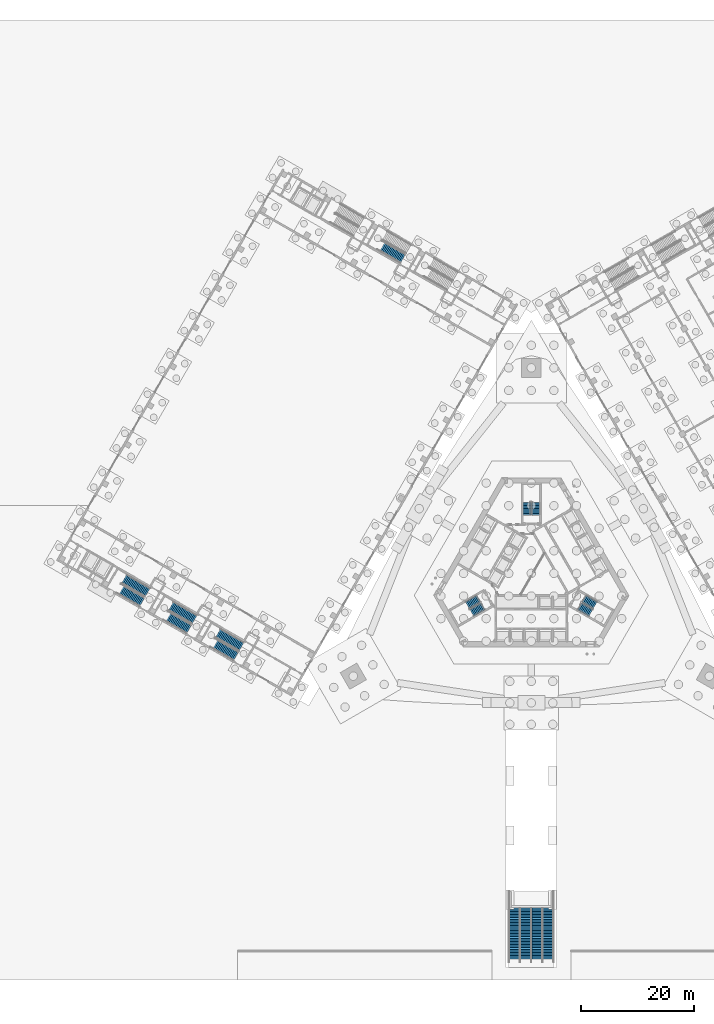
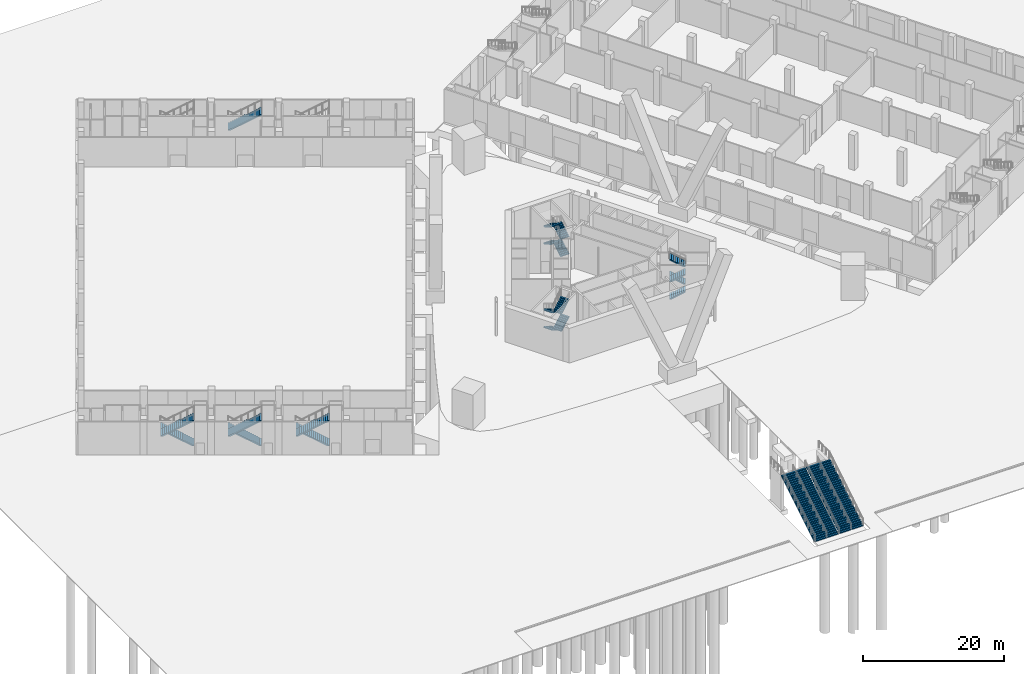
# One storey, part 26 of 38: 21 stair flights, 8 elements without a shape of their own.
"""IFC4 building model written with IfcOpenShell, lengths in metres."""

from ifc_helpers import new_model, si_unit, direction, frame, origin, place, context, subcontext, project, spatial, polyline, outline, extrude, material, type_object, element, aggregate, save


model = new_model("IFC4")

# Units and contexts
model_context = context("Model", 3, precision=1e-05, world=origin(), true_north=direction((0.0, 1.0)))
body_context = subcontext(model_context, "Body", "Model", "MODEL_VIEW")
ifc_project = project(units=[si_unit("LENGTHUNIT", "METRE"), si_unit("AREAUNIT", "SQUARE_METRE"), si_unit("VOLUMEUNIT", "CUBIC_METRE"), si_unit("PLANEANGLEUNIT", "RADIAN"), si_unit("MASSUNIT", "GRAM", prefix="KILO")], contexts=[model_context])

# Site, building, storey
site_placement = place(None, origin())
site = spatial("IfcSite", under=ifc_project, at=site_placement, CompositionType="ELEMENT")
building_placement = place(site_placement, origin())
building = spatial("IfcBuilding", under=site, at=building_placement, Name="Mestral Congress Tower", CompositionType="ELEMENT")
storey_placement = place(building_placement, origin())
storey = spatial("IfcBuildingStorey", under=building, at=storey_placement, Name="L00", CompositionType="ELEMENT", Elevation=0.0)

# Stair, stair flights
ifc_material_1 = material(Name="Concrete C60/75", Category="concrete")
stair_type_1 = type_object("IfcStairType", Name="Exit stair 1400", PredefinedType="HALF_TURN_STAIR", material=ifc_material_1)
placement = place(storey_placement, origin())
stair_1 = element("IfcStair", 1, at=placement, inside=storey, type_object=stair_type_1, Name="L00 ST1", PredefinedType="HALF_TURN_STAIR")
stair_flight_type_1 = type_object("IfcStairFlightType", Name="Exit stair flight 1400", PredefinedType="STRAIGHT", material=ifc_material_1)
stair_flight_1_placement = place(storey_placement, frame((8.575927734375, -5.84619140625, 0.0), z_axis=(0.0, 0.0, 1.0), x_axis=(0.866025403784, -0.5, 0.0)))
stair_flight_1 = element("IfcStairFlight", 2, at=stair_flight_1_placement, type_object=stair_flight_type_1, Name="ST1 flight 1", NumberOfRisers=9, NumberOfTreads=8, PredefinedType="STRAIGHT", RiserHeight=0.166666667, TreadLength=0.28, context=body_context, shape_type="SweptSolid", body=[
    extrude(outline(polyline([(0.0, 0.0), (0.0, 0.166748046875), (0.280029296875, 0.166748046875), (0.280029296875, 0.333251953125), (0.56005859375, 0.333251953125), (0.56005859375, 0.5), (0.840087890625, 0.5), (0.840087890625, 0.666748046875), (1.1201171875, 0.666748046875), (1.1201171875, 0.833251953125), (1.39990234375, 0.833251953125), (1.39990234375, 1.0), (1.679931640625, 1.0), (1.679931640625, 1.166748046875), (1.9599609375, 1.166748046875), (1.9599609375, 1.333251953125), (2.239990234375, 1.333251953125), (2.239990234375, 1.5), (2.239990234375, 1.158935546875), (0.29296875, 0.0), (0.0, 0.0)])), frame((0.0, 0.699951171875, 0.0), z_axis=(0.0, -1.0, 0.0), x_axis=(1.0, 0.0, 0.0)), (0.0, 0.0, 1.0), 1.39990234375),
])
stair_flight_2_placement = place(storey_placement, frame((11.290771484375, -5.623779296875, 1.5), z_axis=(0.0, 0.0, 1.0), x_axis=(-0.866025403784, 0.5, 0.0)))
stair_flight_2 = element("IfcStairFlight", 3, at=stair_flight_2_placement, type_object=stair_flight_type_1, Name="ST1 flight 2", NumberOfRisers=9, NumberOfTreads=8, PredefinedType="STRAIGHT", RiserHeight=0.166666667, TreadLength=0.28, context=body_context, shape_type="SweptSolid", body=[
    extrude(outline(polyline([(0.0, 0.0), (0.0, 0.166748046875), (0.280029296875, 0.166748046875), (0.280029296875, 0.333251953125), (0.56005859375, 0.333251953125), (0.56005859375, 0.5), (0.840087890625, 0.5), (0.840087890625, 0.666748046875), (1.1201171875, 0.666748046875), (1.1201171875, 0.833251953125), (1.39990234375, 0.833251953125), (1.39990234375, 1.0), (1.679931640625, 1.0), (1.679931640625, 1.166748046875), (1.9599609375, 1.166748046875), (1.9599609375, 1.333251953125), (2.239990234375, 1.333251953125), (2.239990234375, 1.5), (2.239990234375, 1.158935546875), (0.29296875, 0.0), (0.0, 0.0)])), frame((0.0, 0.699951171875, 0.0), z_axis=(0.0, -1.0, 0.0), x_axis=(1.0, 0.0, 0.0)), (0.0, 0.0, 1.0), 1.39990234375),
])
stair_flight_3_placement = place(storey_placement, frame((8.575927734375, -5.84619140625, 3.0), z_axis=(0.0, 0.0, 1.0), x_axis=(0.866025403784, -0.5, 0.0)))
stair_flight_3 = element("IfcStairFlight", 4, at=stair_flight_3_placement, type_object=stair_flight_type_1, Name="ST1 flight 3", NumberOfRisers=9, NumberOfTreads=8, PredefinedType="STRAIGHT", RiserHeight=0.166666667, TreadLength=0.28, context=body_context, shape_type="SweptSolid", body=[
    extrude(outline(polyline([(0.0, 0.0), (0.0, 0.166748046875), (0.280029296875, 0.166748046875), (0.280029296875, 0.333251953125), (0.56005859375, 0.333251953125), (0.56005859375, 0.5), (0.840087890625, 0.5), (0.840087890625, 0.666748046875), (1.1201171875, 0.666748046875), (1.1201171875, 0.833251953125), (1.39990234375, 0.833251953125), (1.39990234375, 1.0), (1.679931640625, 1.0), (1.679931640625, 1.166748046875), (1.9599609375, 1.166748046875), (1.9599609375, 1.333251953125), (2.239990234375, 1.333251953125), (2.239990234375, 1.5), (2.239990234375, 1.158935546875), (0.29296875, 0.0), (0.0, 0.0)])), frame((0.0, 0.699951171875, 0.0), z_axis=(0.0, -1.0, 0.0), x_axis=(1.0, 0.0, 0.0)), (0.0, 0.0, 1.0), 1.39990234375),
])
stair_flight_4_placement = place(storey_placement, frame((11.290771484375, -5.623779296875, 4.5), z_axis=(0.0, 0.0, 1.0), x_axis=(-0.866025403784, 0.5, 0.0)))
stair_flight_4 = element("IfcStairFlight", 5, at=stair_flight_4_placement, type_object=stair_flight_type_1, Name="ST1 flight 4", NumberOfRisers=9, NumberOfTreads=8, PredefinedType="STRAIGHT", RiserHeight=0.166666667, TreadLength=0.28, context=body_context, shape_type="SweptSolid", body=[
    extrude(outline(polyline([(0.0, 0.0), (0.0, 0.166748046875), (0.280029296875, 0.166748046875), (0.280029296875, 0.333251953125), (0.56005859375, 0.333251953125), (0.56005859375, 0.5), (0.840087890625, 0.5), (0.840087890625, 0.666748046875), (1.1201171875, 0.666748046875), (1.1201171875, 0.833251953125), (1.39990234375, 0.833251953125), (1.39990234375, 1.0), (1.679931640625, 1.0), (1.679931640625, 1.166748046875), (1.9599609375, 1.166748046875), (1.9599609375, 1.333251953125), (2.239990234375, 1.333251953125), (2.239990234375, 1.5), (2.239990234375, 1.158935546875), (0.29296875, 0.0), (0.0, 0.0)])), frame((0.0, 0.699951171875, 0.0), z_axis=(0.0, -1.0, 0.0), x_axis=(1.0, 0.0, 0.0)), (0.0, 0.0, 1.0), 1.39990234375),
])
aggregate(stair_1, [stair_flight_1, stair_flight_2, stair_flight_3, stair_flight_4])

stair_2 = element("IfcStair", 6, at=placement, inside=storey, type_object=stair_type_1, Name="L00 ST2", PredefinedType="HALF_TURN_STAIR")
stair_flight_5_placement = place(storey_placement, frame((0.77490234375, 10.35009765625, 0.0), z_axis=(0.0, 0.0, 1.0), x_axis=(0.0, 1.0, 0.0)))
stair_flight_5 = element("IfcStairFlight", 7, at=stair_flight_5_placement, type_object=stair_flight_type_1, Name="ST2 flight 1", NumberOfRisers=9, NumberOfTreads=8, PredefinedType="STRAIGHT", RiserHeight=0.166666667, TreadLength=0.28, context=body_context, shape_type="SweptSolid", body=[
    extrude(outline(polyline([(0.0, 0.0), (0.0, 0.166748046875), (0.280029296875, 0.166748046875), (0.280029296875, 0.333251953125), (0.56005859375, 0.333251953125), (0.56005859375, 0.5), (0.840087890625, 0.5), (0.840087890625, 0.666748046875), (1.1201171875, 0.666748046875), (1.1201171875, 0.833251953125), (1.39990234375, 0.833251953125), (1.39990234375, 1.0), (1.679931640625, 1.0), (1.679931640625, 1.166748046875), (1.9599609375, 1.166748046875), (1.9599609375, 1.333251953125), (2.239990234375, 1.333251953125), (2.239990234375, 1.5), (2.239990234375, 1.158935546875), (0.29296875, 0.0), (0.0, 0.0)])), frame((0.0, 0.699951171875, 0.0), z_axis=(0.0, -1.0, 0.0), x_axis=(1.0, 0.0, 0.0)), (0.0, 0.0, 1.0), 1.39990234375),
])
stair_flight_6_placement = place(storey_placement, frame((-0.77490234375, 12.590087890625, 1.5), z_axis=(0.0, 0.0, 1.0), x_axis=(0.0, -1.0, 0.0)))
stair_flight_6 = element("IfcStairFlight", 8, at=stair_flight_6_placement, type_object=stair_flight_type_1, Name="ST2 flight 2", NumberOfRisers=9, NumberOfTreads=8, PredefinedType="STRAIGHT", RiserHeight=0.166666667, TreadLength=0.28, context=body_context, shape_type="SweptSolid", body=[
    extrude(outline(polyline([(0.0, 0.0), (0.0, 0.166748046875), (0.280029296875, 0.166748046875), (0.280029296875, 0.333251953125), (0.56005859375, 0.333251953125), (0.56005859375, 0.5), (0.840087890625, 0.5), (0.840087890625, 0.666748046875), (1.1201171875, 0.666748046875), (1.1201171875, 0.833251953125), (1.39990234375, 0.833251953125), (1.39990234375, 1.0), (1.679931640625, 1.0), (1.679931640625, 1.166748046875), (1.9599609375, 1.166748046875), (1.9599609375, 1.333251953125), (2.239990234375, 1.333251953125), (2.239990234375, 1.5), (2.239990234375, 1.158935546875), (0.29296875, 0.0), (0.0, 0.0)])), frame((0.0, 0.699951171875, 0.0), z_axis=(0.0, -1.0, 0.0), x_axis=(1.0, 0.0, 0.0)), (0.0, 0.0, 1.0), 1.39990234375),
])
stair_flight_7_placement = place(storey_placement, frame((0.77490234375, 10.35009765625, 3.0), z_axis=(0.0, 0.0, 1.0), x_axis=(0.0, 1.0, 0.0)))
stair_flight_7 = element("IfcStairFlight", 9, at=stair_flight_7_placement, type_object=stair_flight_type_1, Name="ST2 flight 3", NumberOfRisers=9, NumberOfTreads=8, PredefinedType="STRAIGHT", RiserHeight=0.166666667, TreadLength=0.28, context=body_context, shape_type="SweptSolid", body=[
    extrude(outline(polyline([(0.0, 0.0), (0.0, 0.166748046875), (0.280029296875, 0.166748046875), (0.280029296875, 0.333251953125), (0.56005859375, 0.333251953125), (0.56005859375, 0.5), (0.840087890625, 0.5), (0.840087890625, 0.666748046875), (1.1201171875, 0.666748046875), (1.1201171875, 0.833251953125), (1.39990234375, 0.833251953125), (1.39990234375, 1.0), (1.679931640625, 1.0), (1.679931640625, 1.166748046875), (1.9599609375, 1.166748046875), (1.9599609375, 1.333251953125), (2.239990234375, 1.333251953125), (2.239990234375, 1.5), (2.239990234375, 1.158935546875), (0.29296875, 0.0), (0.0, 0.0)])), frame((0.0, 0.699951171875, 0.0), z_axis=(0.0, -1.0, 0.0), x_axis=(1.0, 0.0, 0.0)), (0.0, 0.0, 1.0), 1.39990234375),
])
stair_flight_8_placement = place(storey_placement, frame((-0.77490234375, 12.590087890625, 4.5), z_axis=(0.0, 0.0, 1.0), x_axis=(0.0, -1.0, 0.0)))
stair_flight_8 = element("IfcStairFlight", 10, at=stair_flight_8_placement, type_object=stair_flight_type_1, Name="ST2 flight 4", NumberOfRisers=9, NumberOfTreads=8, PredefinedType="STRAIGHT", RiserHeight=0.166666667, TreadLength=0.28, context=body_context, shape_type="SweptSolid", body=[
    extrude(outline(polyline([(0.0, 0.0), (0.0, 0.166748046875), (0.280029296875, 0.166748046875), (0.280029296875, 0.333251953125), (0.56005859375, 0.333251953125), (0.56005859375, 0.5), (0.840087890625, 0.5), (0.840087890625, 0.666748046875), (1.1201171875, 0.666748046875), (1.1201171875, 0.833251953125), (1.39990234375, 0.833251953125), (1.39990234375, 1.0), (1.679931640625, 1.0), (1.679931640625, 1.166748046875), (1.9599609375, 1.166748046875), (1.9599609375, 1.333251953125), (2.239990234375, 1.333251953125), (2.239990234375, 1.5), (2.239990234375, 1.158935546875), (0.29296875, 0.0), (0.0, 0.0)])), frame((0.0, 0.699951171875, 0.0), z_axis=(0.0, -1.0, 0.0), x_axis=(1.0, 0.0, 0.0)), (0.0, 0.0, 1.0), 1.39990234375),
])
aggregate(stair_2, [stair_flight_5, stair_flight_6, stair_flight_7, stair_flight_8])

stair_3 = element("IfcStair", 11, at=placement, inside=storey, type_object=stair_type_1, Name="L00 ST3", PredefinedType="HALF_TURN_STAIR")
stair_flight_9_placement = place(storey_placement, frame((-9.350830078125, -4.50390625, 0.0), z_axis=(0.0, 0.0, 1.0), x_axis=(-0.866025403784, -0.5, 0.0)))
stair_flight_9 = element("IfcStairFlight", 12, at=stair_flight_9_placement, type_object=stair_flight_type_1, Name="ST3 flight 1", NumberOfRisers=9, NumberOfTreads=8, PredefinedType="STRAIGHT", RiserHeight=0.166666667, TreadLength=0.28, context=body_context, shape_type="SweptSolid", body=[
    extrude(outline(polyline([(0.0, 0.0), (0.0, 0.166748046875), (0.280029296875, 0.166748046875), (0.280029296875, 0.333251953125), (0.56005859375, 0.333251953125), (0.56005859375, 0.5), (0.840087890625, 0.5), (0.840087890625, 0.666748046875), (1.1201171875, 0.666748046875), (1.1201171875, 0.833251953125), (1.39990234375, 0.833251953125), (1.39990234375, 1.0), (1.679931640625, 1.0), (1.679931640625, 1.166748046875), (1.9599609375, 1.166748046875), (1.9599609375, 1.333251953125), (2.239990234375, 1.333251953125), (2.239990234375, 1.5), (2.239990234375, 1.158935546875), (0.29296875, 0.0), (0.0, 0.0)])), frame((0.0, 0.699951171875, 0.0), z_axis=(0.0, -1.0, 0.0), x_axis=(1.0, 0.0, 0.0)), (0.0, 0.0, 1.0), 1.39990234375),
])
stair_flight_10_placement = place(storey_placement, frame((-10.515869140625, -6.966064453125, 1.5), z_axis=(0.0, 0.0, 1.0), x_axis=(0.866025403784, 0.5, 0.0)))
stair_flight_10 = element("IfcStairFlight", 13, at=stair_flight_10_placement, type_object=stair_flight_type_1, Name="ST3 flight 2", NumberOfRisers=9, NumberOfTreads=8, PredefinedType="STRAIGHT", RiserHeight=0.166666667, TreadLength=0.28, context=body_context, shape_type="SweptSolid", body=[
    extrude(outline(polyline([(0.0, 0.0), (0.0, 0.166748046875), (0.280029296875, 0.166748046875), (0.280029296875, 0.333251953125), (0.56005859375, 0.333251953125), (0.56005859375, 0.5), (0.840087890625, 0.5), (0.840087890625, 0.666748046875), (1.1201171875, 0.666748046875), (1.1201171875, 0.833251953125), (1.39990234375, 0.833251953125), (1.39990234375, 1.0), (1.679931640625, 1.0), (1.679931640625, 1.166748046875), (1.9599609375, 1.166748046875), (1.9599609375, 1.333251953125), (2.239990234375, 1.333251953125), (2.239990234375, 1.5), (2.239990234375, 1.158935546875), (0.29296875, 0.0), (0.0, 0.0)])), frame((0.0, 0.699951171875, 0.0), z_axis=(0.0, -1.0, 0.0), x_axis=(1.0, 0.0, 0.0)), (0.0, 0.0, 1.0), 1.39990234375),
])
stair_flight_11_placement = place(storey_placement, frame((-9.350830078125, -4.50390625, 3.0), z_axis=(0.0, 0.0, 1.0), x_axis=(-0.866025403784, -0.5, 0.0)))
stair_flight_11 = element("IfcStairFlight", 14, at=stair_flight_11_placement, type_object=stair_flight_type_1, Name="ST3 flight 3", NumberOfRisers=9, NumberOfTreads=8, PredefinedType="STRAIGHT", RiserHeight=0.166666667, TreadLength=0.28, context=body_context, shape_type="SweptSolid", body=[
    extrude(outline(polyline([(0.0, 0.0), (0.0, 0.166748046875), (0.280029296875, 0.166748046875), (0.280029296875, 0.333251953125), (0.56005859375, 0.333251953125), (0.56005859375, 0.5), (0.840087890625, 0.5), (0.840087890625, 0.666748046875), (1.1201171875, 0.666748046875), (1.1201171875, 0.833251953125), (1.39990234375, 0.833251953125), (1.39990234375, 1.0), (1.679931640625, 1.0), (1.679931640625, 1.166748046875), (1.9599609375, 1.166748046875), (1.9599609375, 1.333251953125), (2.239990234375, 1.333251953125), (2.239990234375, 1.5), (2.239990234375, 1.158935546875), (0.29296875, 0.0), (0.0, 0.0)])), frame((0.0, 0.699951171875, 0.0), z_axis=(0.0, -1.0, 0.0), x_axis=(1.0, 0.0, 0.0)), (0.0, 0.0, 1.0), 1.39990234375),
])
stair_flight_12_placement = place(storey_placement, frame((-10.515869140625, -6.966064453125, 4.5), z_axis=(0.0, 0.0, 1.0), x_axis=(0.866025403784, 0.5, 0.0)))
stair_flight_12 = element("IfcStairFlight", 15, at=stair_flight_12_placement, type_object=stair_flight_type_1, Name="ST3 flight 4", NumberOfRisers=9, NumberOfTreads=8, PredefinedType="STRAIGHT", RiserHeight=0.166666667, TreadLength=0.28, context=body_context, shape_type="SweptSolid", body=[
    extrude(outline(polyline([(0.0, 0.0), (0.0, 0.166748046875), (0.280029296875, 0.166748046875), (0.280029296875, 0.333251953125), (0.56005859375, 0.333251953125), (0.56005859375, 0.5), (0.840087890625, 0.5), (0.840087890625, 0.666748046875), (1.1201171875, 0.666748046875), (1.1201171875, 0.833251953125), (1.39990234375, 0.833251953125), (1.39990234375, 1.0), (1.679931640625, 1.0), (1.679931640625, 1.166748046875), (1.9599609375, 1.166748046875), (1.9599609375, 1.333251953125), (2.239990234375, 1.333251953125), (2.239990234375, 1.5), (2.239990234375, 1.158935546875), (0.29296875, 0.0), (0.0, 0.0)])), frame((0.0, 0.699951171875, 0.0), z_axis=(0.0, -1.0, 0.0), x_axis=(1.0, 0.0, 0.0)), (0.0, 0.0, 1.0), 1.39990234375),
])
aggregate(stair_3, [stair_flight_9, stair_flight_10, stair_flight_11, stair_flight_12])

ifc_material_2 = material(Name="Precast concrete C40/50", Category="concrete")
stair_type_2 = type_object("IfcStairType", Name="Podium broad stair 8000", PredefinedType="STRAIGHT_RUN_STAIR", material=ifc_material_2)
stair_4 = element("IfcStair", 16, at=placement, inside=storey, type_object=stair_type_2, Name="Broad stairs L00", PredefinedType="STRAIGHT_RUN_STAIR")
stair_flight_type_2 = type_object("IfcStairFlightType", Name="Podium broad stair flight 3900", PredefinedType="STRAIGHT", material=ifc_material_2)
stair_flight_13_placement = place(storey_placement, frame((-2.050048828125, -68.80810546875, 0.0), z_axis=(0.0, 0.0, 1.0), x_axis=(0.0, 1.0, 0.0)))
stair_flight_13 = element("IfcStairFlight", 17, at=stair_flight_13_placement, type_object=stair_flight_type_2, Name="BST-L00 flight 1", NumberOfRisers=35, NumberOfTreads=34, PredefinedType="STRAIGHT", RiserHeight=0.171429, TreadLength=0.28, context=body_context, shape_type="SweptSolid", body=[
    extrude(outline(polyline([(0.0, 0.0), (0.0, 0.17138671875), (0.280029296875, 0.17138671875), (0.280029296875, 0.3427734375), (0.56005859375, 0.3427734375), (0.56005859375, 0.514404296875), (0.840087890625, 0.514404296875), (0.840087890625, 0.685791015625), (1.1201171875, 0.685791015625), (1.1201171875, 0.857177734375), (1.39990234375, 0.857177734375), (1.39990234375, 1.028564453125), (1.679931640625, 1.028564453125), (1.679931640625, 1.199951171875), (1.9599609375, 1.199951171875), (1.9599609375, 1.371337890625), (2.239990234375, 1.371337890625), (2.239990234375, 1.54296875), (2.52001953125, 1.54296875), (2.52001953125, 1.71435546875), (2.800048828125, 1.71435546875), (2.800048828125, 1.8857421875), (3.080078125, 1.8857421875), (3.080078125, 2.05712890625), (3.360107421875, 2.05712890625), (3.360107421875, 2.228515625), (3.639892578125, 2.228515625), (3.639892578125, 2.39990234375), (3.919921875, 2.39990234375), (3.919921875, 2.571533203125), (4.199951171875, 2.571533203125), (4.199951171875, 2.742919921875), (4.47998046875, 2.742919921875), (4.47998046875, 2.914306640625), (4.760009765625, 2.914306640625), (4.760009765625, 3.085693359375), (5.0400390625, 3.085693359375), (5.0400390625, 3.257080078125), (5.320068359375, 3.257080078125), (5.320068359375, 3.428466796875), (5.60009765625, 3.428466796875), (5.60009765625, 3.60009765625), (5.8798828125, 3.60009765625), (5.8798828125, 3.771484375), (6.159912109375, 3.771484375), (6.159912109375, 3.94287109375), (6.43994140625, 3.94287109375), (6.43994140625, 4.1142578125), (6.719970703125, 4.1142578125), (6.719970703125, 4.28564453125), (7.0, 4.28564453125), (7.0, 4.457275390625), (7.280029296875, 4.457275390625), (7.280029296875, 4.628662109375), (7.56005859375, 4.628662109375), (7.56005859375, 4.800048828125), (7.840087890625, 4.800048828125), (7.840087890625, 4.971435546875), (8.1201171875, 4.971435546875), (8.1201171875, 5.142822265625), (8.39990234375, 5.142822265625), (8.39990234375, 5.314208984375), (8.679931640625, 5.314208984375), (8.679931640625, 5.48583984375), (8.9599609375, 5.48583984375), (8.9599609375, 5.6572265625), (9.239990234375, 5.6572265625), (9.239990234375, 5.82861328125), (9.52001953125, 5.82861328125), (9.52001953125, 6.0), (9.52001953125, 5.65283203125), (0.287109375, 0.0), (0.0, 0.0)])), frame((0.0, 1.949951171875, 0.0), z_axis=(0.0, -1.0, 0.0), x_axis=(1.0, 0.0, 0.0)), (0.0, 0.0, 1.0), 3.89990234375),
])
stair_flight_14_placement = place(storey_placement, frame((2.050048828125, -68.80810546875, 0.0), z_axis=(0.0, 0.0, 1.0), x_axis=(0.0, 1.0, 0.0)))
stair_flight_14 = element("IfcStairFlight", 18, at=stair_flight_14_placement, type_object=stair_flight_type_2, Name="BST-L00 flight 2", NumberOfRisers=35, NumberOfTreads=34, PredefinedType="STRAIGHT", RiserHeight=0.171429, TreadLength=0.28, context=body_context, shape_type="SweptSolid", body=[
    extrude(outline(polyline([(0.0, 0.0), (0.0, 0.17138671875), (0.280029296875, 0.17138671875), (0.280029296875, 0.3427734375), (0.56005859375, 0.3427734375), (0.56005859375, 0.514404296875), (0.840087890625, 0.514404296875), (0.840087890625, 0.685791015625), (1.1201171875, 0.685791015625), (1.1201171875, 0.857177734375), (1.39990234375, 0.857177734375), (1.39990234375, 1.028564453125), (1.679931640625, 1.028564453125), (1.679931640625, 1.199951171875), (1.9599609375, 1.199951171875), (1.9599609375, 1.371337890625), (2.239990234375, 1.371337890625), (2.239990234375, 1.54296875), (2.52001953125, 1.54296875), (2.52001953125, 1.71435546875), (2.800048828125, 1.71435546875), (2.800048828125, 1.8857421875), (3.080078125, 1.8857421875), (3.080078125, 2.05712890625), (3.360107421875, 2.05712890625), (3.360107421875, 2.228515625), (3.639892578125, 2.228515625), (3.639892578125, 2.39990234375), (3.919921875, 2.39990234375), (3.919921875, 2.571533203125), (4.199951171875, 2.571533203125), (4.199951171875, 2.742919921875), (4.47998046875, 2.742919921875), (4.47998046875, 2.914306640625), (4.760009765625, 2.914306640625), (4.760009765625, 3.085693359375), (5.0400390625, 3.085693359375), (5.0400390625, 3.257080078125), (5.320068359375, 3.257080078125), (5.320068359375, 3.428466796875), (5.60009765625, 3.428466796875), (5.60009765625, 3.60009765625), (5.8798828125, 3.60009765625), (5.8798828125, 3.771484375), (6.159912109375, 3.771484375), (6.159912109375, 3.94287109375), (6.43994140625, 3.94287109375), (6.43994140625, 4.1142578125), (6.719970703125, 4.1142578125), (6.719970703125, 4.28564453125), (7.0, 4.28564453125), (7.0, 4.457275390625), (7.280029296875, 4.457275390625), (7.280029296875, 4.628662109375), (7.56005859375, 4.628662109375), (7.56005859375, 4.800048828125), (7.840087890625, 4.800048828125), (7.840087890625, 4.971435546875), (8.1201171875, 4.971435546875), (8.1201171875, 5.142822265625), (8.39990234375, 5.142822265625), (8.39990234375, 5.314208984375), (8.679931640625, 5.314208984375), (8.679931640625, 5.48583984375), (8.9599609375, 5.48583984375), (8.9599609375, 5.6572265625), (9.239990234375, 5.6572265625), (9.239990234375, 5.82861328125), (9.52001953125, 5.82861328125), (9.52001953125, 6.0), (9.52001953125, 5.65283203125), (0.287109375, 0.0), (0.0, 0.0)])), frame((0.0, 1.949951171875, 0.0), z_axis=(0.0, -1.0, 0.0), x_axis=(1.0, 0.0, 0.0)), (0.0, 0.0, 1.0), 3.89990234375),
])
aggregate(stair_4, [stair_flight_13, stair_flight_14])

# Stair, stair flight
ifc_material_3 = material(Name="Concrete C40/50", Category="concrete")
stair_type_3 = type_object("IfcStairType", Name="Podium exit stair 1800", PredefinedType="HALF_TURN_STAIR", material=ifc_material_3)
stair_5 = element("IfcStair", 19, at=placement, inside=storey, type_object=stair_type_3, Name="L00 Exit stair W2", PredefinedType="HALF_TURN_STAIR")
stair_flight_type_3 = type_object("IfcStairFlightType", Name="Podium exit stair flight 1800", PredefinedType="STRAIGHT", material=ifc_material_3)
stair_flight_15_placement = place(storey_placement, frame((-26.8759765625, 58.125244140625, 3.0), z_axis=(0.0, 0.0, 1.0), x_axis=(0.866025403784, -0.5, 0.0)))
stair_flight_15 = element("IfcStairFlight", 20, at=stair_flight_15_placement, type_object=stair_flight_type_3, Name="PS-W2 flight 2", NumberOfRisers=18, NumberOfTreads=17, PredefinedType="STRAIGHT", RiserHeight=0.166666667, TreadLength=0.28, context=body_context, shape_type="SweptSolid", body=[
    extrude(outline(polyline([(0.0, 0.0), (0.0, 0.166748046875), (0.280029296875, 0.166748046875), (0.280029296875, 0.333251953125), (0.56005859375, 0.333251953125), (0.56005859375, 0.5), (0.840087890625, 0.5), (0.840087890625, 0.666748046875), (1.1201171875, 0.666748046875), (1.1201171875, 0.833251953125), (1.39990234375, 0.833251953125), (1.39990234375, 1.0), (1.679931640625, 1.0), (1.679931640625, 1.166748046875), (1.9599609375, 1.166748046875), (1.9599609375, 1.333251953125), (2.239990234375, 1.333251953125), (2.239990234375, 1.5), (2.52001953125, 1.5), (2.52001953125, 1.666748046875), (2.800048828125, 1.666748046875), (2.800048828125, 1.833251953125), (3.080078125, 1.833251953125), (3.080078125, 2.0), (3.360107421875, 2.0), (3.360107421875, 2.166748046875), (3.639892578125, 2.166748046875), (3.639892578125, 2.333251953125), (3.919921875, 2.333251953125), (3.919921875, 2.5), (4.199951171875, 2.5), (4.199951171875, 2.666748046875), (4.47998046875, 2.666748046875), (4.47998046875, 2.833251953125), (4.760009765625, 2.833251953125), (4.760009765625, 3.0), (4.760009765625, 2.658935546875), (0.29296875, 0.0), (0.0, 0.0)])), frame((0.0, 0.89990234375, 0.0), z_axis=(0.0, -1.0, 0.0), x_axis=(1.0, 0.0, 0.0)), (0.0, 0.0, 1.0), 1.800048828125),
])
aggregate(stair_5, [stair_flight_15])

# Stair, stair flights
stair_6 = element("IfcStair", 21, at=placement, inside=storey, type_object=stair_type_3, Name="L00 Exit stair W4", PredefinedType="HALF_TURN_STAIR")
stair_flight_16_placement = place(storey_placement, frame((-51.33984375, -12.96728515625, 0.0), z_axis=(0.0, 0.0, 1.0), x_axis=(-0.866025403784, 0.5, 0.0)))
stair_flight_16 = element("IfcStairFlight", 22, at=stair_flight_16_placement, type_object=stair_flight_type_3, Name="PS-W4 flight 1", NumberOfRisers=18, NumberOfTreads=17, PredefinedType="STRAIGHT", RiserHeight=0.166666667, TreadLength=0.28, context=body_context, shape_type="SweptSolid", body=[
    extrude(outline(polyline([(0.0, 0.0), (0.0, 0.166748046875), (0.280029296875, 0.166748046875), (0.280029296875, 0.333251953125), (0.56005859375, 0.333251953125), (0.56005859375, 0.5), (0.840087890625, 0.5), (0.840087890625, 0.666748046875), (1.1201171875, 0.666748046875), (1.1201171875, 0.833251953125), (1.39990234375, 0.833251953125), (1.39990234375, 1.0), (1.679931640625, 1.0), (1.679931640625, 1.166748046875), (1.9599609375, 1.166748046875), (1.9599609375, 1.333251953125), (2.239990234375, 1.333251953125), (2.239990234375, 1.5), (2.52001953125, 1.5), (2.52001953125, 1.666748046875), (2.800048828125, 1.666748046875), (2.800048828125, 1.833251953125), (3.080078125, 1.833251953125), (3.080078125, 2.0), (3.360107421875, 2.0), (3.360107421875, 2.166748046875), (3.639892578125, 2.166748046875), (3.639892578125, 2.333251953125), (3.919921875, 2.333251953125), (3.919921875, 2.5), (4.199951171875, 2.5), (4.199951171875, 2.666748046875), (4.47998046875, 2.666748046875), (4.47998046875, 2.833251953125), (4.760009765625, 2.833251953125), (4.760009765625, 3.0), (4.760009765625, 2.658935546875), (0.29296875, 0.0), (0.0, 0.0)])), frame((0.0, 0.89990234375, 0.0), z_axis=(0.0, -1.0, 0.0), x_axis=(1.0, 0.0, 0.0)), (0.0, 0.0, 1.0), 1.800048828125),
])
stair_flight_17_placement = place(storey_placement, frame((-56.437255859375, -12.276123046875, 3.0), z_axis=(0.0, 0.0, 1.0), x_axis=(0.866025403784, -0.5, 0.0)))
stair_flight_17 = element("IfcStairFlight", 23, at=stair_flight_17_placement, type_object=stair_flight_type_3, Name="PS-W4 flight 2", NumberOfRisers=18, NumberOfTreads=17, PredefinedType="STRAIGHT", RiserHeight=0.166666667, TreadLength=0.28, context=body_context, shape_type="SweptSolid", body=[
    extrude(outline(polyline([(0.0, 0.0), (0.0, 0.166748046875), (0.280029296875, 0.166748046875), (0.280029296875, 0.333251953125), (0.56005859375, 0.333251953125), (0.56005859375, 0.5), (0.840087890625, 0.5), (0.840087890625, 0.666748046875), (1.1201171875, 0.666748046875), (1.1201171875, 0.833251953125), (1.39990234375, 0.833251953125), (1.39990234375, 1.0), (1.679931640625, 1.0), (1.679931640625, 1.166748046875), (1.9599609375, 1.166748046875), (1.9599609375, 1.333251953125), (2.239990234375, 1.333251953125), (2.239990234375, 1.5), (2.52001953125, 1.5), (2.52001953125, 1.666748046875), (2.800048828125, 1.666748046875), (2.800048828125, 1.833251953125), (3.080078125, 1.833251953125), (3.080078125, 2.0), (3.360107421875, 2.0), (3.360107421875, 2.166748046875), (3.639892578125, 2.166748046875), (3.639892578125, 2.333251953125), (3.919921875, 2.333251953125), (3.919921875, 2.5), (4.199951171875, 2.5), (4.199951171875, 2.666748046875), (4.47998046875, 2.666748046875), (4.47998046875, 2.833251953125), (4.760009765625, 2.833251953125), (4.760009765625, 3.0), (4.760009765625, 2.658935546875), (0.29296875, 0.0), (0.0, 0.0)])), frame((0.0, 0.89990234375, 0.0), z_axis=(0.0, -1.0, 0.0), x_axis=(1.0, 0.0, 0.0)), (0.0, 0.0, 1.0), 1.800048828125),
])
aggregate(stair_6, [stair_flight_16, stair_flight_17])

stair_7 = element("IfcStair", 24, at=placement, inside=storey, type_object=stair_type_3, Name="L00 Exit stair W5", PredefinedType="HALF_TURN_STAIR")
stair_flight_18_placement = place(storey_placement, frame((-59.65380859375, -8.167236328125, 0.0), z_axis=(0.0, 0.0, 1.0), x_axis=(-0.866025403784, 0.5, 0.0)))
stair_flight_18 = element("IfcStairFlight", 25, at=stair_flight_18_placement, type_object=stair_flight_type_3, Name="PS-W5 flight 1", NumberOfRisers=18, NumberOfTreads=17, PredefinedType="STRAIGHT", RiserHeight=0.166666667, TreadLength=0.28, context=body_context, shape_type="SweptSolid", body=[
    extrude(outline(polyline([(0.0, 0.0), (0.0, 0.166748046875), (0.280029296875, 0.166748046875), (0.280029296875, 0.333251953125), (0.56005859375, 0.333251953125), (0.56005859375, 0.5), (0.840087890625, 0.5), (0.840087890625, 0.666748046875), (1.1201171875, 0.666748046875), (1.1201171875, 0.833251953125), (1.39990234375, 0.833251953125), (1.39990234375, 1.0), (1.679931640625, 1.0), (1.679931640625, 1.166748046875), (1.9599609375, 1.166748046875), (1.9599609375, 1.333251953125), (2.239990234375, 1.333251953125), (2.239990234375, 1.5), (2.52001953125, 1.5), (2.52001953125, 1.666748046875), (2.800048828125, 1.666748046875), (2.800048828125, 1.833251953125), (3.080078125, 1.833251953125), (3.080078125, 2.0), (3.360107421875, 2.0), (3.360107421875, 2.166748046875), (3.639892578125, 2.166748046875), (3.639892578125, 2.333251953125), (3.919921875, 2.333251953125), (3.919921875, 2.5), (4.199951171875, 2.5), (4.199951171875, 2.666748046875), (4.47998046875, 2.666748046875), (4.47998046875, 2.833251953125), (4.760009765625, 2.833251953125), (4.760009765625, 3.0), (4.760009765625, 2.658935546875), (0.29296875, 0.0), (0.0, 0.0)])), frame((0.0, 0.89990234375, 0.0), z_axis=(0.0, -1.0, 0.0), x_axis=(1.0, 0.0, 0.0)), (0.0, 0.0, 1.0), 1.800048828125),
])
stair_flight_19_placement = place(storey_placement, frame((-64.7509765625, -7.47607421875, 3.0), z_axis=(0.0, 0.0, 1.0), x_axis=(0.866025403784, -0.5, 0.0)))
stair_flight_19 = element("IfcStairFlight", 26, at=stair_flight_19_placement, type_object=stair_flight_type_3, Name="PS-W5 flight 2", NumberOfRisers=18, NumberOfTreads=17, PredefinedType="STRAIGHT", RiserHeight=0.166666667, TreadLength=0.28, context=body_context, shape_type="SweptSolid", body=[
    extrude(outline(polyline([(0.0, 0.0), (0.0, 0.166748046875), (0.280029296875, 0.166748046875), (0.280029296875, 0.333251953125), (0.56005859375, 0.333251953125), (0.56005859375, 0.5), (0.840087890625, 0.5), (0.840087890625, 0.666748046875), (1.1201171875, 0.666748046875), (1.1201171875, 0.833251953125), (1.39990234375, 0.833251953125), (1.39990234375, 1.0), (1.679931640625, 1.0), (1.679931640625, 1.166748046875), (1.9599609375, 1.166748046875), (1.9599609375, 1.333251953125), (2.239990234375, 1.333251953125), (2.239990234375, 1.5), (2.52001953125, 1.5), (2.52001953125, 1.666748046875), (2.800048828125, 1.666748046875), (2.800048828125, 1.833251953125), (3.080078125, 1.833251953125), (3.080078125, 2.0), (3.360107421875, 2.0), (3.360107421875, 2.166748046875), (3.639892578125, 2.166748046875), (3.639892578125, 2.333251953125), (3.919921875, 2.333251953125), (3.919921875, 2.5), (4.199951171875, 2.5), (4.199951171875, 2.666748046875), (4.47998046875, 2.666748046875), (4.47998046875, 2.833251953125), (4.760009765625, 2.833251953125), (4.760009765625, 3.0), (4.760009765625, 2.658935546875), (0.29296875, 0.0), (0.0, 0.0)])), frame((0.0, 0.89990234375, 0.0), z_axis=(0.0, -1.0, 0.0), x_axis=(1.0, 0.0, 0.0)), (0.0, 0.0, 1.0), 1.800048828125),
])
aggregate(stair_7, [stair_flight_18, stair_flight_19])

stair_8 = element("IfcStair", 27, at=placement, inside=storey, type_object=stair_type_3, Name="L00 Exit stair W6", PredefinedType="HALF_TURN_STAIR")
stair_flight_20_placement = place(storey_placement, frame((-67.967529296875, -3.367431640625, 0.0), z_axis=(0.0, 0.0, 1.0), x_axis=(-0.866025403784, 0.5, 0.0)))
stair_flight_20 = element("IfcStairFlight", 28, at=stair_flight_20_placement, type_object=stair_flight_type_3, Name="PS-W6 flight 1", NumberOfRisers=18, NumberOfTreads=17, PredefinedType="STRAIGHT", RiserHeight=0.166666667, TreadLength=0.28, context=body_context, shape_type="SweptSolid", body=[
    extrude(outline(polyline([(0.0, 0.0), (0.0, 0.166748046875), (0.280029296875, 0.166748046875), (0.280029296875, 0.333251953125), (0.56005859375, 0.333251953125), (0.56005859375, 0.5), (0.840087890625, 0.5), (0.840087890625, 0.666748046875), (1.1201171875, 0.666748046875), (1.1201171875, 0.833251953125), (1.39990234375, 0.833251953125), (1.39990234375, 1.0), (1.679931640625, 1.0), (1.679931640625, 1.166748046875), (1.9599609375, 1.166748046875), (1.9599609375, 1.333251953125), (2.239990234375, 1.333251953125), (2.239990234375, 1.5), (2.52001953125, 1.5), (2.52001953125, 1.666748046875), (2.800048828125, 1.666748046875), (2.800048828125, 1.833251953125), (3.080078125, 1.833251953125), (3.080078125, 2.0), (3.360107421875, 2.0), (3.360107421875, 2.166748046875), (3.639892578125, 2.166748046875), (3.639892578125, 2.333251953125), (3.919921875, 2.333251953125), (3.919921875, 2.5), (4.199951171875, 2.5), (4.199951171875, 2.666748046875), (4.47998046875, 2.666748046875), (4.47998046875, 2.833251953125), (4.760009765625, 2.833251953125), (4.760009765625, 3.0), (4.760009765625, 2.658935546875), (0.29296875, 0.0), (0.0, 0.0)])), frame((0.0, 0.89990234375, 0.0), z_axis=(0.0, -1.0, 0.0), x_axis=(1.0, 0.0, 0.0)), (0.0, 0.0, 1.0), 1.800048828125),
])
stair_flight_21_placement = place(storey_placement, frame((-73.06494140625, -2.676025390625, 3.0), z_axis=(0.0, 0.0, 1.0), x_axis=(0.866025403784, -0.5, 0.0)))
stair_flight_21 = element("IfcStairFlight", 29, at=stair_flight_21_placement, type_object=stair_flight_type_3, Name="PS-W6 flight 2", NumberOfRisers=18, NumberOfTreads=17, PredefinedType="STRAIGHT", RiserHeight=0.166666667, TreadLength=0.28, context=body_context, shape_type="SweptSolid", body=[
    extrude(outline(polyline([(0.0, 0.0), (0.0, 0.166748046875), (0.280029296875, 0.166748046875), (0.280029296875, 0.333251953125), (0.56005859375, 0.333251953125), (0.56005859375, 0.5), (0.840087890625, 0.5), (0.840087890625, 0.666748046875), (1.1201171875, 0.666748046875), (1.1201171875, 0.833251953125), (1.39990234375, 0.833251953125), (1.39990234375, 1.0), (1.679931640625, 1.0), (1.679931640625, 1.166748046875), (1.9599609375, 1.166748046875), (1.9599609375, 1.333251953125), (2.239990234375, 1.333251953125), (2.239990234375, 1.5), (2.52001953125, 1.5), (2.52001953125, 1.666748046875), (2.800048828125, 1.666748046875), (2.800048828125, 1.833251953125), (3.080078125, 1.833251953125), (3.080078125, 2.0), (3.360107421875, 2.0), (3.360107421875, 2.166748046875), (3.639892578125, 2.166748046875), (3.639892578125, 2.333251953125), (3.919921875, 2.333251953125), (3.919921875, 2.5), (4.199951171875, 2.5), (4.199951171875, 2.666748046875), (4.47998046875, 2.666748046875), (4.47998046875, 2.833251953125), (4.760009765625, 2.833251953125), (4.760009765625, 3.0), (4.760009765625, 2.658935546875), (0.29296875, 0.0), (0.0, 0.0)])), frame((0.0, 0.89990234375, 0.0), z_axis=(0.0, -1.0, 0.0), x_axis=(1.0, 0.0, 0.0)), (0.0, 0.0, 1.0), 1.800048828125),
])
aggregate(stair_8, [stair_flight_20, stair_flight_21])

save(model, "model.ifc")
